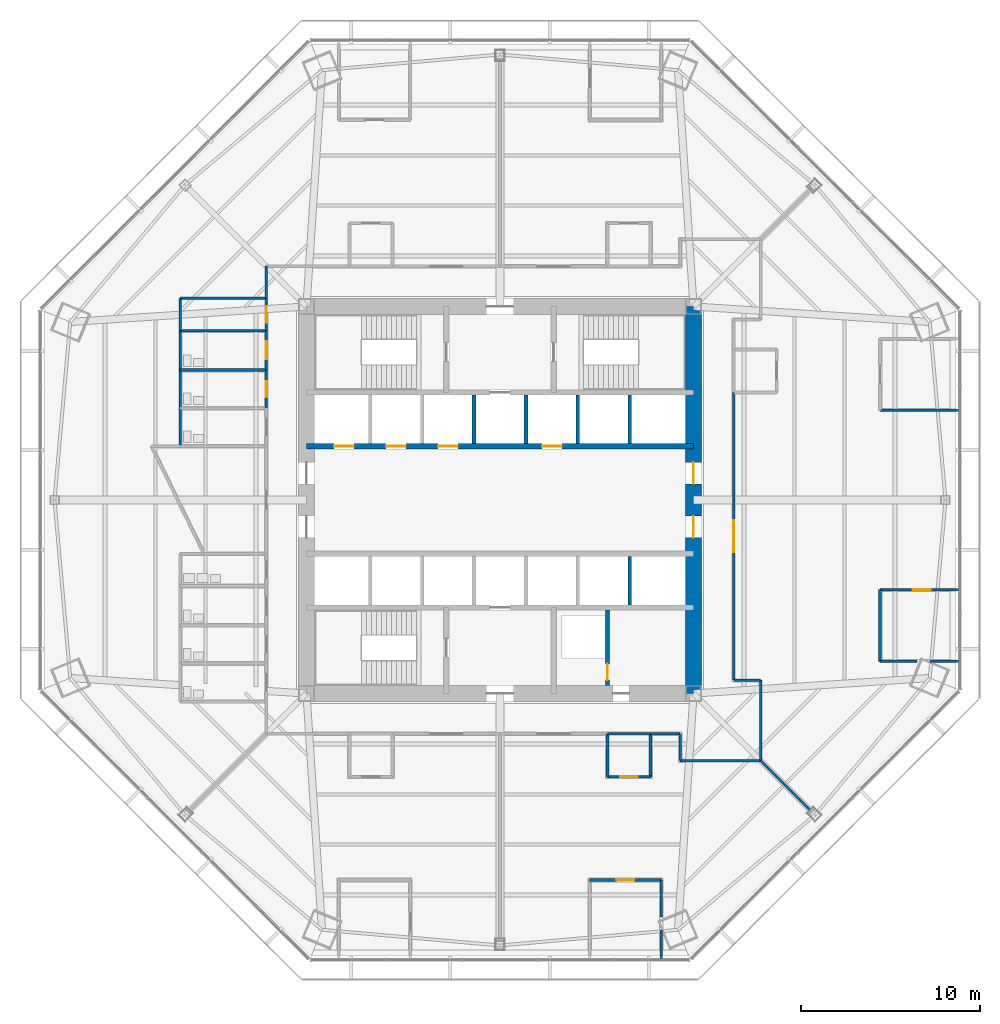
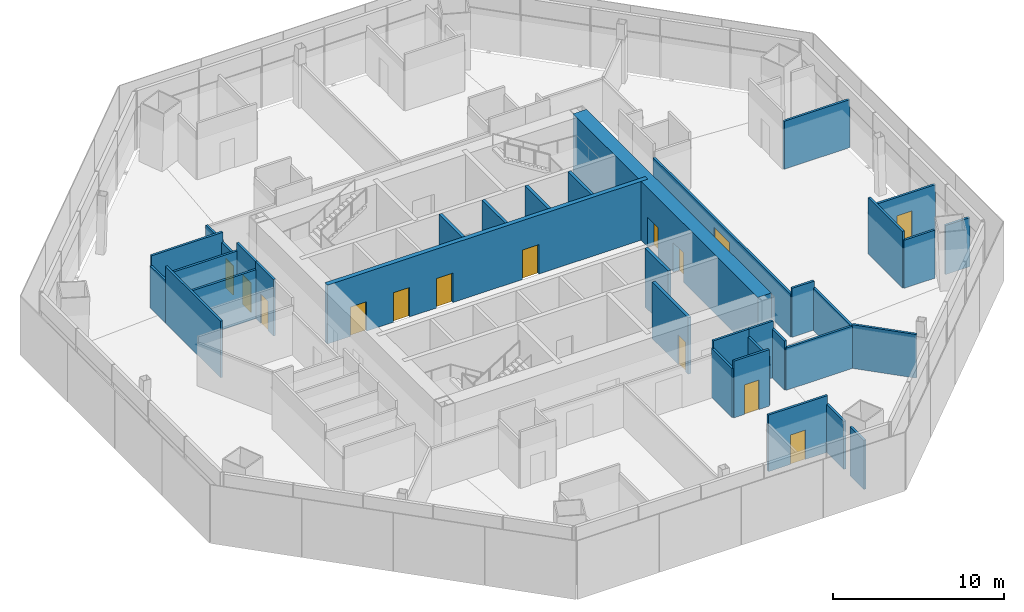
# One storey, part 12 of 18: 36 walls, 14 doors, 14 openings.
"""IFC4 building model written with IfcOpenShell, lengths in metres."""

from ifc_helpers import new_model, si_unit, direction, frame, frame_2d, origin, place, context, subcontext, project, spatial, rectangle, extrude, material, layer, layer_set, type_object, element, fill, save


model = new_model("IFC4")

# Units and contexts
model_context = context("Model", 3, precision=1e-05, world=origin(), true_north=direction((0.0, 1.0)))
body_context = subcontext(model_context, "Body", "Model", "MODEL_VIEW")
ifc_project = project(units=[si_unit("LENGTHUNIT", "METRE"), si_unit("AREAUNIT", "SQUARE_METRE"), si_unit("VOLUMEUNIT", "CUBIC_METRE"), si_unit("PLANEANGLEUNIT", "RADIAN"), si_unit("MASSUNIT", "GRAM", prefix="KILO")], contexts=[model_context])

# Site, building, storey
site_placement = place(None, origin())
site = spatial("IfcSite", under=ifc_project, at=site_placement, CompositionType="ELEMENT")
building_placement = place(site_placement, origin())
building = spatial("IfcBuilding", under=site, at=building_placement, Name="Mashrafa Tower", CompositionType="ELEMENT")
storey_placement = place(building_placement, frame((0.0, 0.0, 83.39990234375)))
storey = spatial("IfcBuildingStorey", under=building, at=storey_placement, Name="L18", CompositionType="ELEMENT", Elevation=83.39990234375)

# Wall, opening, door
ifc_material_1 = material(Name="Concrete masonry unit", Category="masonry")
ifc_layer_1 = layer(ifc_material_1, 0.199951171875)
ifc_layer_set_1 = layer_set([ifc_layer_1], Name="Blockwork wall 200 2 hr")
wall_type_1 = type_object("IfcWallType", Name="Blockwork wall 200 2 hr", PredefinedType="PARTITIONING", material=ifc_layer_set_1)
wall_1_placement = place(storey_placement, frame((6.0, -10.35009765625, 0.0), z_axis=(0.0, 0.0, 1.0), x_axis=(0.0, 1.0, 0.0)))
wall_1 = element("IfcWall", 1, at=wall_1_placement, inside=storey, type_object=wall_type_1, Name="Riser enclosure wall L18", PredefinedType="PARTITIONING", context=body_context, shape_type="SweptSolid", body=[
    extrude(rectangle(XDim=4.2001953125, YDim=0.199951171875, at=frame_2d((2.10009765625, 0.0))), origin(), (0.0, 0.0, 1.0), 4.03515625),
])
opening_1_placement = place(wall_1_placement, frame((0.300048828125, 0.0, 0.0)))
opening_1 = element("IfcOpeningElement", 2, at=opening_1_placement, cuts=wall_1, Name="Opening 18.036", PredefinedType="OPENING", context=body_context, shape_type="SweptSolid", body=[
    extrude(rectangle(XDim=0.89990234375, YDim=2.10009765625, at=frame_2d((0.449951171875, 1.050048828125))), frame((0.0, 0.10986328125, 0.0), z_axis=(0.0, -1.0, 0.0), x_axis=(1.0, 0.0, 0.0)), (0.0, 0.0, 1.0), 0.219970703125),
])
ifc_material_2 = material(Name="Steel door", Category="steel")
door_type_1 = type_object("IfcDoorType", Name="Service door 900 x 2100 90 min", OperationType="USERDEFINED", PredefinedType="DOOR", material=ifc_material_2)
door_1_placement = place(opening_1_placement, origin())
door_1 = element("IfcDoor", 3, at=door_1_placement, inside=storey, type_object=door_type_1, Name="Riser door L18", OperationType="SINGLE_SWING_LEFT", OverallHeight=2.10009765625, OverallWidth=0.89990234375, PredefinedType="DOOR", context=body_context, shape_type="SweptSolid", body=[
    extrude(rectangle(XDim=0.89990234375, YDim=2.10009765625, at=frame_2d((0.449951171875, 1.050048828125))), frame((0.0, 0.02490234375, 0.0), z_axis=(0.0, -1.0, 0.0), x_axis=(1.0, 0.0, 0.0)), (0.0, 0.0, 1.0), 0.050048828125),
])
fill(opening_1, door_1)

# Wall, openings, doors
ifc_material_3 = material(Name="Concrete C60/75", Category="concrete")
ifc_layer_2 = layer(ifc_material_3, 0.300048828125)
ifc_layer_set_2 = layer_set([ifc_layer_2], Name="Core wall 300 C60/75")
wall_type_2 = type_object("IfcWallType", Name="Core wall 300 C60/75", PredefinedType="SOLIDWALL", material=ifc_layer_set_2)
wall_2_placement = place(storey_placement, frame((-10.800048828125, 3.0, 0.0), z_axis=(0.0, 0.0, 1.0), x_axis=(1.0, 0.0, 0.0)))
wall_2 = element("IfcWall", 4, at=wall_2_placement, inside=storey, type_object=wall_type_2, Name="Core wall CH-N L18", PredefinedType="SOLIDWALL", context=body_context, shape_type="SweptSolid", body=[
    extrude(rectangle(XDim=21.60009765625, YDim=0.300048828125, at=frame_2d((10.800048828125, 0.0))), origin(), (0.0, 0.0, 1.0), 4.2001953125),
])
opening_2_placement = place(wall_2_placement, frame((1.550048828125, 0.0, 0.0)))
opening_2 = element("IfcOpeningElement", 5, at=opening_2_placement, cuts=wall_2, Name="Opening 18.A1", PredefinedType="OPENING", context=body_context, shape_type="SweptSolid", body=[
    extrude(rectangle(XDim=1.10009765625, YDim=2.10009765625, at=frame_2d((0.550048828125, 1.050048828125))), frame((0.0, 0.159912109375, 0.0), z_axis=(0.0, -1.0, 0.0), x_axis=(1.0, 0.0, 0.0)), (0.0, 0.0, 1.0), 0.320068359375),
])
opening_3_placement = place(wall_2_placement, frame((4.449951171875, 0.0, 0.0)))
opening_3 = element("IfcOpeningElement", 6, at=opening_3_placement, cuts=wall_2, Name="Opening 18.A2", PredefinedType="OPENING", context=body_context, shape_type="SweptSolid", body=[
    extrude(rectangle(XDim=1.10009765625, YDim=2.10009765625, at=frame_2d((0.550048828125, 1.050048828125))), frame((0.0, 0.159912109375, 0.0), z_axis=(0.0, -1.0, 0.0), x_axis=(1.0, 0.0, 0.0)), (0.0, 0.0, 1.0), 0.320068359375),
])
opening_4_placement = place(wall_2_placement, frame((7.35009765625, 0.0, 0.0)))
opening_4 = element("IfcOpeningElement", 7, at=opening_4_placement, cuts=wall_2, Name="Opening 18.A3", PredefinedType="OPENING", context=body_context, shape_type="SweptSolid", body=[
    extrude(rectangle(XDim=1.10009765625, YDim=2.10009765625, at=frame_2d((0.550048828125, 1.050048828125))), frame((0.0, 0.159912109375, 0.0), z_axis=(0.0, -1.0, 0.0), x_axis=(1.0, 0.0, 0.0)), (0.0, 0.0, 1.0), 0.320068359375),
])
opening_5_placement = place(wall_2_placement, frame((13.14990234375, 0.0, 0.0)))
opening_5 = element("IfcOpeningElement", 8, at=opening_5_placement, cuts=wall_2, Name="Opening 18.A4", PredefinedType="OPENING", context=body_context, shape_type="SweptSolid", body=[
    extrude(rectangle(XDim=1.10009765625, YDim=2.10009765625, at=frame_2d((0.550048828125, 1.050048828125))), frame((0.0, 0.159912109375, 0.0), z_axis=(0.0, -1.0, 0.0), x_axis=(1.0, 0.0, 0.0)), (0.0, 0.0, 1.0), 0.320068359375),
])
ifc_material_4 = material(Name="Steel door", Category="steel")
door_type_2 = type_object("IfcDoorType", Name="Lift landing door 1100 x 2100 90 min", OperationType="DOUBLE_DOOR_SLIDING", PredefinedType="DOOR", material=ifc_material_4)
door_2_placement = place(opening_2_placement, origin())
door_2 = element("IfcDoor", 9, at=door_2_placement, inside=storey, type_object=door_type_2, Name="Lift landing door A1 L18", OperationType="DOUBLE_DOOR_SLIDING", OverallHeight=2.10009765625, OverallWidth=1.10009765625, PredefinedType="DOOR", context=body_context, shape_type="SweptSolid", body=[
    extrude(rectangle(XDim=1.10009765625, YDim=2.10009765625, at=frame_2d((0.550048828125, 1.050048828125))), frame((0.0, 0.02490234375, 0.0), z_axis=(0.0, -1.0, 0.0), x_axis=(1.0, 0.0, 0.0)), (0.0, 0.0, 1.0), 0.050048828125),
])
fill(opening_2, door_2)
door_3_placement = place(opening_3_placement, origin())
door_3 = element("IfcDoor", 10, at=door_3_placement, inside=storey, type_object=door_type_2, Name="Lift landing door A2 L18", OperationType="DOUBLE_DOOR_SLIDING", OverallHeight=2.10009765625, OverallWidth=1.10009765625, PredefinedType="DOOR", context=body_context, shape_type="SweptSolid", body=[
    extrude(rectangle(XDim=1.10009765625, YDim=2.10009765625, at=frame_2d((0.550048828125, 1.050048828125))), frame((0.0, 0.02490234375, 0.0), z_axis=(0.0, -1.0, 0.0), x_axis=(1.0, 0.0, 0.0)), (0.0, 0.0, 1.0), 0.050048828125),
])
fill(opening_3, door_3)
door_4_placement = place(opening_4_placement, origin())
door_4 = element("IfcDoor", 11, at=door_4_placement, inside=storey, type_object=door_type_2, Name="Lift landing door A3 L18", OperationType="DOUBLE_DOOR_SLIDING", OverallHeight=2.10009765625, OverallWidth=1.10009765625, PredefinedType="DOOR", context=body_context, shape_type="SweptSolid", body=[
    extrude(rectangle(XDim=1.10009765625, YDim=2.10009765625, at=frame_2d((0.550048828125, 1.050048828125))), frame((0.0, 0.02490234375, 0.0), z_axis=(0.0, -1.0, 0.0), x_axis=(1.0, 0.0, 0.0)), (0.0, 0.0, 1.0), 0.050048828125),
])
fill(opening_4, door_4)
door_5_placement = place(opening_5_placement, origin())
door_5 = element("IfcDoor", 12, at=door_5_placement, inside=storey, type_object=door_type_2, Name="Lift landing door A4 L18", OperationType="DOUBLE_DOOR_SLIDING", OverallHeight=2.10009765625, OverallWidth=1.10009765625, PredefinedType="DOOR", context=body_context, shape_type="SweptSolid", body=[
    extrude(rectangle(XDim=1.10009765625, YDim=2.10009765625, at=frame_2d((0.550048828125, 1.050048828125))), frame((0.0, 0.02490234375, 0.0), z_axis=(0.0, -1.0, 0.0), x_axis=(1.0, 0.0, 0.0)), (0.0, 0.0, 1.0), 0.050048828125),
])
fill(opening_5, door_5)

ifc_material_5 = material(Name="Concrete C60/75", Category="concrete")
ifc_layer_3 = layer(ifc_material_5, 0.89990234375)
ifc_layer_set_3 = layer_set([ifc_layer_3], Name="Core wall 900 C60/75")
wall_type_3 = type_object("IfcWallType", Name="Core wall 900 C60/75", PredefinedType="SOLIDWALL", material=ifc_layer_set_3)
wall_3_placement = place(storey_placement, frame((10.800048828125, -10.800048828125, 0.0), z_axis=(0.0, 0.0, 1.0), x_axis=(0.0, 1.0, 0.0)))
wall_3 = element("IfcWall", 13, at=wall_3_placement, inside=storey, type_object=wall_type_3, Name="Core wall CW-E L18", PredefinedType="SOLIDWALL", context=body_context, shape_type="SweptSolid", body=[
    extrude(rectangle(XDim=21.60009765625, YDim=0.89990234375, at=frame_2d((10.800048828125, 0.0))), origin(), (0.0, 0.0, 1.0), 4.2001953125),
])
opening_6_placement = place(wall_3_placement, frame((11.699951171875, 0.0, 0.0)))
opening_6 = element("IfcOpeningElement", 14, at=opening_6_placement, cuts=wall_3, Name="Opening 18.026", PredefinedType="OPENING", context=body_context, shape_type="SweptSolid", body=[
    extrude(rectangle(XDim=1.199951171875, YDim=2.10009765625, at=frame_2d((0.60009765625, 1.050048828125))), frame((0.0, 0.4599609375, 0.0), z_axis=(0.0, -1.0, 0.0), x_axis=(1.0, 0.0, 0.0)), (0.0, 0.0, 1.0), 0.919921875),
])
opening_7_placement = place(wall_3_placement, frame((8.699951171875, 0.0, 0.0)))
opening_7 = element("IfcOpeningElement", 15, at=opening_7_placement, cuts=wall_3, Name="Opening 18.028", PredefinedType="OPENING", context=body_context, shape_type="SweptSolid", body=[
    extrude(rectangle(XDim=1.199951171875, YDim=2.10009765625, at=frame_2d((0.60009765625, 1.050048828125))), frame((0.0, 0.4599609375, 0.0), z_axis=(0.0, -1.0, 0.0), x_axis=(1.0, 0.0, 0.0)), (0.0, 0.0, 1.0), 0.919921875),
])
ifc_material_6 = material(Name="Steel door", Category="steel")
door_type_3 = type_object("IfcDoorType", Name="Lift hall door 1200 x 2100 90 min", OperationType="USERDEFINED", PredefinedType="DOOR", material=ifc_material_6)
door_6_placement = place(opening_6_placement, frame((1.199951171875, 0.0, 0.0), z_axis=(0.0, 0.0, 1.0), x_axis=(-1.0, 0.0, 0.0)))
door_6 = element("IfcDoor", 16, at=door_6_placement, inside=storey, type_object=door_type_3, Name="Lift hall door east L18", OperationType="SINGLE_SWING_LEFT", OverallHeight=2.10009765625, OverallWidth=1.199951171875, PredefinedType="DOOR", context=body_context, shape_type="SweptSolid", body=[
    extrude(rectangle(XDim=1.199951171875, YDim=2.10009765625, at=frame_2d((0.60009765625, 1.050048828125))), frame((0.0, 0.02490234375, 0.0), z_axis=(0.0, -1.0, 0.0), x_axis=(1.0, 0.0, 0.0)), (0.0, 0.0, 1.0), 0.050048828125),
])
fill(opening_6, door_6)
door_7_placement = place(opening_7_placement, frame((1.199951171875, 0.0, 0.0), z_axis=(0.0, 0.0, 1.0), x_axis=(-1.0, 0.0, 0.0)))
door_7 = element("IfcDoor", 17, at=door_7_placement, inside=storey, type_object=door_type_3, Name="Lift hall door east L18", OperationType="SINGLE_SWING_RIGHT", OverallHeight=2.10009765625, OverallWidth=1.199951171875, PredefinedType="DOOR", context=body_context, shape_type="SweptSolid", body=[
    extrude(rectangle(XDim=1.199951171875, YDim=2.10009765625, at=frame_2d((0.60009765625, 1.050048828125))), frame((0.0, 0.02490234375, 0.0), z_axis=(0.0, -1.0, 0.0), x_axis=(1.0, 0.0, 0.0)), (0.0, 0.0, 1.0), 0.050048828125),
])
fill(opening_7, door_7)

# Wall, opening, door
ifc_material_7 = material(Name="Gypsum board on steel studs", Category="steel")
ifc_layer_4 = layer(ifc_material_7, 0.14990234375)
ifc_layer_set_4 = layer_set([ifc_layer_4], Name="Corridor partition 150 1 hr")
wall_type_4 = type_object("IfcWallType", Name="Corridor partition 150 1 hr", PredefinedType="PARTITIONING", material=ifc_layer_set_4)
wall_4_placement = place(storey_placement, frame((-13.050048828125, 7.2509765625, 0.0), z_axis=(0.0, 0.0, 1.0), x_axis=(0.0, -1.0, 0.0)))
wall_4 = element("IfcWall", 18, at=wall_4_placement, inside=storey, type_object=wall_type_4, Name="Corridor wall L18-002", PredefinedType="PARTITIONING", context=body_context, shape_type="SweptSolid", body=[
    extrude(rectangle(XDim=2.126953125, YDim=0.14990234375, at=frame_2d((1.0634765625, 0.0))), origin(), (0.0, 0.0, 1.0), 4.03515625),
])
opening_8_placement = place(wall_4_placement, frame((0.613525390625, 0.0, 0.0)))
opening_8 = element("IfcOpeningElement", 19, at=opening_8_placement, cuts=wall_4, Name="Opening 18.002", PredefinedType="OPENING", context=body_context, shape_type="SweptSolid", body=[
    extrude(rectangle(XDim=0.89990234375, YDim=2.10009765625, at=frame_2d((0.449951171875, 1.050048828125))), frame((0.0, 0.0849609375, 0.0), z_axis=(0.0, -1.0, 0.0), x_axis=(1.0, 0.0, 0.0)), (0.0, 0.0, 1.0), 0.169921875),
])
ifc_material_8 = material(Name="Timber door", Category="wood")
door_type_4 = type_object("IfcDoorType", Name="Toilet door 900 x 2100", OperationType="USERDEFINED", PredefinedType="DOOR", material=ifc_material_8)
door_8_placement = place(opening_8_placement, frame((0.89990234375, 0.0, 0.0), z_axis=(0.0, 0.0, 1.0), x_axis=(-1.0, 0.0, 0.0)))
door_8 = element("IfcDoor", 20, at=door_8_placement, inside=storey, type_object=door_type_4, Name="WC Male L18 N door", OperationType="SINGLE_SWING_LEFT", OverallHeight=2.10009765625, OverallWidth=0.89990234375, PredefinedType="DOOR", context=body_context, shape_type="SweptSolid", body=[
    extrude(rectangle(XDim=0.89990234375, YDim=2.10009765625, at=frame_2d((0.449951171875, 1.050048828125))), frame((0.0, 0.02490234375, 0.0), z_axis=(0.0, -1.0, 0.0), x_axis=(1.0, 0.0, 0.0)), (0.0, 0.0, 1.0), 0.050048828125),
])
fill(opening_8, door_8)

wall_5_placement = place(storey_placement, frame((-13.050048828125, 9.450927734375, 0.0), z_axis=(0.0, 0.0, 1.0), x_axis=(0.0, -1.0, 0.0)))
wall_5 = element("IfcWall", 21, at=wall_5_placement, inside=storey, type_object=wall_type_4, Name="Corridor wall L18-003", PredefinedType="PARTITIONING", context=body_context, shape_type="SweptSolid", body=[
    extrude(rectangle(XDim=2.201904296875, YDim=0.14990234375, at=frame_2d((1.10107421875, 0.0))), origin(), (0.0, 0.0, 1.0), 4.03515625),
])
opening_9_placement = place(wall_5_placement, frame((0.60107421875, 0.0, 0.0)))
opening_9 = element("IfcOpeningElement", 22, at=opening_9_placement, cuts=wall_5, Name="Opening 18.003", PredefinedType="OPENING", context=body_context, shape_type="SweptSolid", body=[
    extrude(rectangle(XDim=1.0, YDim=2.10009765625, at=frame_2d((0.5, 1.050048828125))), frame((0.0, 0.0849609375, 0.0), z_axis=(0.0, -1.0, 0.0), x_axis=(1.0, 0.0, 0.0)), (0.0, 0.0, 1.0), 0.169921875),
])
ifc_material_9 = material(Name="Timber door", Category="wood")
door_type_5 = type_object("IfcDoorType", Name="Accessible toilet door 1000 x 2100", OperationType="USERDEFINED", PredefinedType="DOOR", material=ifc_material_9)
door_9_placement = place(opening_9_placement, frame((1.0, 0.0, 0.0), z_axis=(0.0, 0.0, 1.0), x_axis=(-1.0, 0.0, 0.0)))
door_9 = element("IfcDoor", 23, at=door_9_placement, inside=storey, type_object=door_type_5, Name="Accessible WC L18 N door", OperationType="SINGLE_SWING_RIGHT", OverallHeight=2.10009765625, OverallWidth=1.0, PredefinedType="DOOR", context=body_context, shape_type="SweptSolid", body=[
    extrude(rectangle(XDim=1.0, YDim=2.10009765625, at=frame_2d((0.5, 1.050048828125))), frame((0.0, 0.02490234375, 0.0), z_axis=(0.0, -1.0, 0.0), x_axis=(1.0, 0.0, 0.0)), (0.0, 0.0, 1.0), 0.050048828125),
])
fill(opening_9, door_9)

wall_6_placement = place(storey_placement, frame((-13.050048828125, 11.2509765625, 0.0), z_axis=(0.0, 0.0, 1.0), x_axis=(0.0, -1.0, 0.0)))
wall_6 = element("IfcWall", 24, at=wall_6_placement, inside=storey, type_object=wall_type_4, Name="Corridor wall L18-004", PredefinedType="PARTITIONING", context=body_context, shape_type="SweptSolid", body=[
    extrude(rectangle(XDim=1.802001953125, YDim=0.14990234375, at=frame_2d((0.90087890625, 0.0))), origin(), (0.0, 0.0, 1.0), 3.01416015625),
])
opening_10_placement = place(wall_6_placement, frame((0.450927734375, 0.0, 0.0)))
opening_10 = element("IfcOpeningElement", 25, at=opening_10_placement, cuts=wall_6, Name="Opening 18.004", PredefinedType="OPENING", context=body_context, shape_type="SweptSolid", body=[
    extrude(rectangle(XDim=0.89990234375, YDim=2.10009765625, at=frame_2d((0.449951171875, 1.050048828125))), frame((0.0, 0.0849609375, 0.0), z_axis=(0.0, -1.0, 0.0), x_axis=(1.0, 0.0, 0.0)), (0.0, 0.0, 1.0), 0.169921875),
])
ifc_material_10 = material(Name="Timber door", Category="wood")
door_type_6 = type_object("IfcDoorType", Name="Store door 900 x 2100", OperationType="USERDEFINED", PredefinedType="DOOR", material=ifc_material_10)
door_10_placement = place(opening_10_placement, frame((0.89990234375, 0.0, 0.0), z_axis=(0.0, 0.0, 1.0), x_axis=(-1.0, 0.0, 0.0)))
door_10 = element("IfcDoor", 26, at=door_10_placement, inside=storey, type_object=door_type_6, Name="Cleaner's Store L18 N door", OperationType="SINGLE_SWING_LEFT", OverallHeight=2.10009765625, OverallWidth=0.89990234375, PredefinedType="DOOR", context=body_context, shape_type="SweptSolid", body=[
    extrude(rectangle(XDim=0.89990234375, YDim=2.10009765625, at=frame_2d((0.449951171875, 1.050048828125))), frame((0.0, 0.02490234375, 0.0), z_axis=(0.0, -1.0, 0.0), x_axis=(1.0, 0.0, 0.0)), (0.0, 0.0, 1.0), 0.050048828125),
])
fill(opening_10, door_10)

# Walls
wall_7_placement = place(storey_placement, frame((5.9990234375, -13.050048828125, 0.0), z_axis=(0.0, 0.0, 1.0), x_axis=(1.0, 0.0, 0.0)))
element("IfcWall", 27, at=wall_7_placement, inside=storey, type_object=wall_type_4, Name="Corridor wall L18-013", PredefinedType="PARTITIONING", context=body_context, shape_type="SweptSolid", body=[
    extrude(rectangle(XDim=2.40185546875, YDim=0.14990234375, at=frame_2d((1.200927734375, 0.0))), origin(), (0.0, 0.0, 1.0), 4.03515625),
])
wall_8_placement = place(storey_placement, frame((-13.050048828125, 13.050048828125, 0.0), z_axis=(0.0, 0.0, 1.0), x_axis=(0.0, -1.0, 0.0)))
element("IfcWall", 28, at=wall_8_placement, inside=storey, type_object=wall_type_4, Name="Corridor wall L18-021", PredefinedType="PARTITIONING", context=body_context, shape_type="SweptSolid", body=[
    extrude(rectangle(XDim=1.801025390625, YDim=0.14990234375, at=frame_2d((0.900390625, 0.0))), origin(), (0.0, 0.0, 1.0), 3.11328125),
])
wall_9_placement = place(storey_placement, frame((14.550048828125, -14.550048828125, 0.0), z_axis=(0.0, 0.0, 1.0), x_axis=(0.0, 1.0, 0.0)))
element("IfcWall", 29, at=wall_9_placement, inside=storey, type_object=wall_type_4, Name="Corridor wall L18-023", PredefinedType="PARTITIONING", context=body_context, shape_type="SweptSolid", body=[
    extrude(rectangle(XDim=4.5, YDim=0.14990234375, at=frame_2d((2.25, 0.0))), origin(), (0.0, 0.0, 1.0), 3.01416015625),
])
wall_10_placement = place(storey_placement, frame((14.550048828125, -10.050048828125, 0.0), z_axis=(0.0, 0.0, 1.0), x_axis=(-1.0, 0.0, 0.0)))
element("IfcWall", 30, at=wall_10_placement, inside=storey, type_object=wall_type_4, Name="Corridor wall L18-024", PredefinedType="PARTITIONING", context=body_context, shape_type="SweptSolid", body=[
    extrude(rectangle(XDim=1.5, YDim=0.14990234375, at=frame_2d((0.75, 0.0))), origin(), (0.0, 0.0, 1.0), 3.49169921875),
])

# Wall, opening, door
wall_11_placement = place(storey_placement, frame((13.050048828125, -10.050048828125, 0.0), z_axis=(0.0, 0.0, 1.0), x_axis=(0.0, 1.0, 0.0)))
wall_11 = element("IfcWall", 31, at=wall_11_placement, inside=storey, type_object=wall_type_4, Name="Corridor wall L18-025", PredefinedType="PARTITIONING", context=body_context, shape_type="SweptSolid", body=[
    extrude(rectangle(XDim=16.051025390625, YDim=0.14990234375, at=frame_2d((8.025390625, 0.0))), origin(), (0.0, 0.0, 1.0), 3.06494140625),
])
opening_11_placement = place(wall_11_placement, frame((7.12548828125, 0.0, 0.0)))
opening_11 = element("IfcOpeningElement", 32, at=opening_11_placement, cuts=wall_11, Name="Opening 18.023", PredefinedType="OPENING", context=body_context, shape_type="SweptSolid", body=[
    extrude(rectangle(XDim=1.800048828125, YDim=2.39990234375, at=frame_2d((0.89990234375, 1.199951171875))), frame((0.0, 0.0849609375, 0.0), z_axis=(0.0, -1.0, 0.0), x_axis=(1.0, 0.0, 0.0)), (0.0, 0.0, 1.0), 0.169921875),
])
ifc_material_11 = material(Name="Timber door", Category="wood")
door_type_7 = type_object("IfcDoorType", Name="Door pair 1800 x 2400", OperationType="DOUBLE_DOOR_SINGLE_SWING", PredefinedType="DOOR", material=ifc_material_11)
door_11_placement = place(opening_11_placement, frame((1.800048828125, 0.0, 0.0), z_axis=(0.0, 0.0, 1.0), x_axis=(-1.0, 0.0, 0.0)))
door_11 = element("IfcDoor", 33, at=door_11_placement, inside=storey, type_object=door_type_7, Name="Office Suite 18-E door", OperationType="DOUBLE_DOOR_SINGLE_SWING", OverallHeight=2.39990234375, OverallWidth=1.800048828125, PredefinedType="DOOR", context=body_context, shape_type="SweptSolid", body=[
    extrude(rectangle(XDim=1.800048828125, YDim=2.39990234375, at=frame_2d((0.89990234375, 1.199951171875))), frame((0.0, 0.02490234375, 0.0), z_axis=(0.0, -1.0, 0.0), x_axis=(1.0, 0.0, 0.0)), (0.0, 0.0, 1.0), 0.050048828125),
])
fill(opening_11, door_11)

# Walls
wall_12_placement = place(storey_placement, frame((8.39892578125, -13.050048828125, 0.0), z_axis=(0.0, 0.0, 1.0), x_axis=(1.0, 0.0, 0.0)))
element("IfcWall", 34, at=wall_12_placement, inside=storey, type_object=wall_type_4, Name="Corridor wall L18-030", PredefinedType="PARTITIONING", context=body_context, shape_type="SweptSolid", body=[
    extrude(rectangle(XDim=1.651123046875, YDim=0.14990234375, at=frame_2d((0.82568359375, 0.0))), origin(), (0.0, 0.0, 1.0), 4.03515625),
])
wall_13_placement = place(storey_placement, frame((10.050048828125, -13.050048828125, 0.0), z_axis=(0.0, 0.0, 1.0), x_axis=(0.0, -1.0, 0.0)))
element("IfcWall", 35, at=wall_13_placement, inside=storey, type_object=wall_type_4, Name="Corridor wall L18-031", PredefinedType="PARTITIONING", context=body_context, shape_type="SweptSolid", body=[
    extrude(rectangle(XDim=1.5, YDim=0.14990234375, at=frame_2d((0.75, 0.0))), origin(), (0.0, 0.0, 1.0), 3.49169921875),
])
wall_14_placement = place(storey_placement, frame((10.050048828125, -14.550048828125, 0.0), z_axis=(0.0, 0.0, 1.0), x_axis=(1.0, 0.0, 0.0)))
element("IfcWall", 36, at=wall_14_placement, inside=storey, type_object=wall_type_4, Name="Corridor wall L18-032", PredefinedType="PARTITIONING", context=body_context, shape_type="SweptSolid", body=[
    extrude(rectangle(XDim=4.5, YDim=0.14990234375, at=frame_2d((2.25, 0.0))), origin(), (0.0, 0.0, 1.0), 3.01416015625),
])
ifc_material_12 = material(Name="Gypsum board on steel studs", Category="steel")
ifc_layer_5 = layer(ifc_material_12, 0.14990234375)
ifc_layer_set_5 = layer_set([ifc_layer_5], Name="Partition 150")
wall_type_5 = type_object("IfcWallType", Name="Partition 150", PredefinedType="PARTITIONING", material=ifc_layer_set_5)
wall_15_placement = place(storey_placement, frame((-17.85009765625, 3.0, 0.0), z_axis=(0.0, 0.0, 1.0), x_axis=(0.0, 1.0, 0.0)))
element("IfcWall", 37, at=wall_15_placement, inside=storey, type_object=wall_type_5, Name="Partition wall L18-037", PredefinedType="PARTITIONING", context=body_context, shape_type="SweptSolid", body=[
    extrude(rectangle(XDim=6.449951171875, YDim=0.14990234375, at=frame_2d((3.22509765625, 0.0))), origin(), (0.0, 0.0, 1.0), 4.03515625),
])
for number, where, z_axis, x_axis, name in (
    (38, (-13.050048828125, 7.25, 0.0), (0.0, 0.0, 1.0), (-1.0, 0.0, 0.0), "Partition wall L18-038"),
    (39, (-13.050048828125, 9.449951171875, 0.0), (0.0, 0.0, 1.0), (-1.0, 0.0, 0.0), "Partition wall L18-040"),
):
    element("IfcWall", number, at=place(storey_placement, frame(where, z_axis=z_axis, x_axis=x_axis)), inside=storey, type_object=wall_type_5, Name=name, PredefinedType="PARTITIONING", context=body_context, shape_type="SweptSolid", body=[
        extrude(rectangle(XDim=4.800048828125, YDim=0.14990234375, at=frame_2d((2.39990234375, 0.0))), origin(), (0.0, 0.0, 1.0), 3.49169921875),
    ])
wall_16_placement = place(storey_placement, frame((-13.050048828125, 11.25, 0.0), z_axis=(0.0, 0.0, 1.0), x_axis=(-1.0, 0.0, 0.0)))
element("IfcWall", 40, at=wall_16_placement, inside=storey, type_object=wall_type_5, Name="Partition wall L18-042", PredefinedType="PARTITIONING", context=body_context, shape_type="SweptSolid", body=[
    extrude(rectangle(XDim=4.800048828125, YDim=0.14990234375, at=frame_2d((2.39990234375, 0.0))), origin(), (0.0, 0.0, 1.0), 3.715087890625),
])
wall_17_placement = place(storey_placement, frame((-17.85009765625, 11.25, 0.0), z_axis=(0.0, 0.0, 1.0), x_axis=(0.0, -1.0, 0.0)))
element("IfcWall", 41, at=wall_17_placement, inside=storey, type_object=wall_type_5, Name="Partition wall L18-043", PredefinedType="PARTITIONING", context=body_context, shape_type="SweptSolid", body=[
    extrude(rectangle(XDim=1.800048828125, YDim=0.14990234375, at=frame_2d((0.89990234375, 0.0))), origin(), (0.0, 0.0, 1.0), 3.01416015625),
])

# Wall, opening, door
wall_18_placement = place(storey_placement, frame((25.639404296875, -5.0, 0.0), z_axis=(0.0, 0.0, 1.0), x_axis=(-1.0, 0.0, 0.0)))
wall_18 = element("IfcWall", 42, at=wall_18_placement, inside=storey, type_object=wall_type_5, Name="Partition wall L18-070", PredefinedType="PARTITIONING", context=body_context, shape_type="SweptSolid", body=[
    extrude(rectangle(XDim=4.43408203125, YDim=0.14990234375, at=frame_2d((2.217041015625, 0.0))), origin(), (0.0, 0.0, 1.0), 3.423095703125),
])
opening_12_placement = place(wall_18_placement, frame((1.59912109375, 0.0, 0.0)))
opening_12 = element("IfcOpeningElement", 43, at=opening_12_placement, cuts=wall_18, Name="Opening 18.014", PredefinedType="OPENING", context=body_context, shape_type="SweptSolid", body=[
    extrude(rectangle(XDim=1.0, YDim=2.10009765625, at=frame_2d((0.5, 1.050048828125))), frame((0.0, 0.0849609375, 0.0), z_axis=(0.0, -1.0, 0.0), x_axis=(1.0, 0.0, 0.0)), (0.0, 0.0, 1.0), 0.169921875),
])
ifc_material_13 = material(Name="Timber door", Category="wood")
door_type_8 = type_object("IfcDoorType", Name="Door 1000 x 2100", OperationType="USERDEFINED", PredefinedType="DOOR", material=ifc_material_13)
door_12_placement = place(opening_12_placement, origin())
door_12 = element("IfcDoor", 44, at=door_12_placement, inside=storey, type_object=door_type_8, Name="Manager's Office 18-E door", OperationType="SINGLE_SWING_LEFT", OverallHeight=2.10009765625, OverallWidth=1.0, PredefinedType="DOOR", context=body_context, shape_type="SweptSolid", body=[
    extrude(rectangle(XDim=1.0, YDim=2.10009765625, at=frame_2d((0.5, 1.050048828125))), frame((0.0, 0.02490234375, 0.0), z_axis=(0.0, -1.0, 0.0), x_axis=(1.0, 0.0, 0.0)), (0.0, 0.0, 1.0), 0.050048828125),
])
fill(opening_12, door_12)

# Walls
wall_19_placement = place(storey_placement, frame((21.205322265625, -5.0, 0.0), z_axis=(0.0, 0.0, 1.0), x_axis=(0.0, -1.0, 0.0)))
element("IfcWall", 45, at=wall_19_placement, inside=storey, type_object=wall_type_5, Name="Partition wall L18-071", PredefinedType="PARTITIONING", context=body_context, shape_type="SweptSolid", body=[
    extrude(rectangle(XDim=4.0, YDim=0.14990234375, at=frame_2d((2.0, 0.0))), origin(), (0.0, 0.0, 1.0), 4.03515625),
])
wall_20_placement = place(storey_placement, frame((21.205322265625, -9.0, 0.0), z_axis=(0.0, 0.0, 1.0), x_axis=(1.0, 0.0, 0.0)))
element("IfcWall", 46, at=wall_20_placement, inside=storey, type_object=wall_type_5, Name="Partition wall L18-072", PredefinedType="PARTITIONING", context=body_context, shape_type="SweptSolid", body=[
    extrude(rectangle(XDim=2.07763671875, YDim=0.14990234375, at=frame_2d((1.038818359375, 0.0))), origin(), (0.0, 0.0, 1.0), 3.423095703125),
])
for number, where, z_axis, x_axis, name in (
    (47, (23.998779296875, -9.0, 0.0), (0.0, 0.0, 1.0), (1.0, 0.0, 0.0), "Partition wall L18-073"),
    (48, (9.0, -25.637451171875, 0.0), (0.0, 0.0, 1.0), (0.0, 1.0, 0.0), "Partition wall L18-077"),
):
    element("IfcWall", number, at=place(storey_placement, frame(where, z_axis=z_axis, x_axis=x_axis)), inside=storey, type_object=wall_type_5, Name=name, PredefinedType="PARTITIONING", context=body_context, shape_type="SweptSolid", body=[
        extrude(rectangle(XDim=1.638671875, YDim=0.14990234375, at=frame_2d((0.8193359375, 0.0))), origin(), (0.0, 0.0, 1.0), 3.496826171875),
    ])
wall_21_placement = place(storey_placement, frame((9.0, -23.282958984375, 0.0), z_axis=(0.0, 0.0, 1.0), x_axis=(0.0, 1.0, 0.0)))
element("IfcWall", 49, at=wall_21_placement, inside=storey, type_object=wall_type_5, Name="Partition wall L18-078", PredefinedType="PARTITIONING", context=body_context, shape_type="SweptSolid", body=[
    extrude(rectangle(XDim=2.07763671875, YDim=0.14990234375, at=frame_2d((1.038818359375, 0.0))), origin(), (0.0, 0.0, 1.0), 3.423095703125),
])

# Wall, opening, door
wall_22_placement = place(storey_placement, frame((9.0, -21.205322265625, 0.0), z_axis=(0.0, 0.0, 1.0), x_axis=(-1.0, 0.0, 0.0)))
wall_22 = element("IfcWall", 50, at=wall_22_placement, inside=storey, type_object=wall_type_5, Name="Partition wall L18-079", PredefinedType="PARTITIONING", context=body_context, shape_type="SweptSolid", body=[
    extrude(rectangle(XDim=4.0, YDim=0.14990234375, at=frame_2d((2.0, 0.0))), origin(), (0.0, 0.0, 1.0), 4.03515625),
])
opening_13_placement = place(wall_22_placement, frame((1.5, 0.0, 0.0)))
opening_13 = element("IfcOpeningElement", 51, at=opening_13_placement, cuts=wall_22, Name="Opening 18.016", PredefinedType="OPENING", context=body_context, shape_type="SweptSolid", body=[
    extrude(rectangle(XDim=1.0, YDim=2.10009765625, at=frame_2d((0.5, 1.050048828125))), frame((0.0, 0.0849609375, 0.0), z_axis=(0.0, -1.0, 0.0), x_axis=(1.0, 0.0, 0.0)), (0.0, 0.0, 1.0), 0.169921875),
])
door_13_placement = place(opening_13_placement, origin())
door_13 = element("IfcDoor", 52, at=door_13_placement, inside=storey, type_object=door_type_8, Name="Manager's Office 18-SE door", OperationType="SINGLE_SWING_LEFT", OverallHeight=2.10009765625, OverallWidth=1.0, PredefinedType="DOOR", context=body_context, shape_type="SweptSolid", body=[
    extrude(rectangle(XDim=1.0, YDim=2.10009765625, at=frame_2d((0.5, 1.050048828125))), frame((0.0, 0.02490234375, 0.0), z_axis=(0.0, -1.0, 0.0), x_axis=(1.0, 0.0, 0.0)), (0.0, 0.0, 1.0), 0.050048828125),
])
fill(opening_13, door_13)

# Wall
wall_23_placement = place(storey_placement, frame((6.0, -13.050048828125, 0.0), z_axis=(0.0, 0.0, 1.0), x_axis=(0.0, -1.0, 0.0)))
element("IfcWall", 53, at=wall_23_placement, inside=storey, type_object=wall_type_5, Name="Partition wall L18-081", PredefinedType="PARTITIONING", context=body_context, shape_type="SweptSolid", body=[
    extrude(rectangle(XDim=2.39990234375, YDim=0.14990234375, at=frame_2d((1.199951171875, 0.0))), origin(), (0.0, 0.0, 1.0), 3.49169921875),
])

# Wall, opening, door
wall_24_placement = place(storey_placement, frame((6.0, -15.449951171875, 0.0), z_axis=(0.0, 0.0, 1.0), x_axis=(1.0, 0.0, 0.0)))
wall_24 = element("IfcWall", 54, at=wall_24_placement, inside=storey, type_object=wall_type_5, Name="Partition wall L18-082", PredefinedType="PARTITIONING", context=body_context, shape_type="SweptSolid", body=[
    extrude(rectangle(XDim=2.39990234375, YDim=0.14990234375, at=frame_2d((1.199951171875, 0.0))), origin(), (0.0, 0.0, 1.0), 4.03515625),
])
opening_14_placement = place(wall_24_placement, frame((0.699951171875, 0.0, 0.0)))
opening_14 = element("IfcOpeningElement", 55, at=opening_14_placement, cuts=wall_24, Name="Opening 18.017", PredefinedType="OPENING", context=body_context, shape_type="SweptSolid", body=[
    extrude(rectangle(XDim=1.0, YDim=2.10009765625, at=frame_2d((0.5, 1.050048828125))), frame((0.0, 0.0849609375, 0.0), z_axis=(0.0, -1.0, 0.0), x_axis=(1.0, 0.0, 0.0)), (0.0, 0.0, 1.0), 0.169921875),
])
door_14_placement = place(opening_14_placement, origin())
door_14 = element("IfcDoor", 56, at=door_14_placement, inside=storey, type_object=door_type_8, Name="Kitchenette 18-SE door", OperationType="SINGLE_SWING_LEFT", OverallHeight=2.10009765625, OverallWidth=1.0, PredefinedType="DOOR", context=body_context, shape_type="SweptSolid", body=[
    extrude(rectangle(XDim=1.0, YDim=2.10009765625, at=frame_2d((0.5, 1.050048828125))), frame((0.0, 0.02490234375, 0.0), z_axis=(0.0, -1.0, 0.0), x_axis=(1.0, 0.0, 0.0)), (0.0, 0.0, 1.0), 0.050048828125),
])
fill(opening_14, door_14)

# Walls
wall_25_placement = place(storey_placement, frame((8.39990234375, -15.449951171875, 0.0), z_axis=(0.0, 0.0, 1.0), x_axis=(0.0, 1.0, 0.0)))
element("IfcWall", 57, at=wall_25_placement, inside=storey, type_object=wall_type_5, Name="Partition wall L18-083", PredefinedType="PARTITIONING", context=body_context, shape_type="SweptSolid", body=[
    extrude(rectangle(XDim=2.39990234375, YDim=0.14990234375, at=frame_2d((1.199951171875, 0.0))), origin(), (0.0, 0.0, 1.0), 3.49169921875),
])
wall_26_placement = place(storey_placement, frame((21.205322265625, 5.0, 0.0), z_axis=(0.0, 0.0, 1.0), x_axis=(1.0, 0.0, 0.0)))
element("IfcWall", 58, at=wall_26_placement, inside=storey, type_object=wall_type_5, Name="Partition wall L18-094", PredefinedType="PARTITIONING", context=body_context, shape_type="SweptSolid", body=[
    extrude(rectangle(XDim=4.43212890625, YDim=0.14990234375, at=frame_2d((2.216064453125, 0.0))), origin(), (0.0, 0.0, 1.0), 3.423095703125),
])
wall_27_placement = place(storey_placement, frame((14.550048828125, -14.550048828125, 0.0), z_axis=(0.0, 0.0, 1.0), x_axis=(0.707106781187, -0.707106781187, 0.0)))
element("IfcWall", 59, at=wall_27_placement, inside=storey, type_object=wall_type_5, Name="Partition wall L18-098", PredefinedType="PARTITIONING", context=body_context, shape_type="SweptSolid", body=[
    extrude(rectangle(XDim=3.890869140625, YDim=0.14990234375, at=frame_2d((1.9453125, 0.0))), origin(), (0.0, 0.0, 1.0), 3.11328125),
])
ifc_material_14 = material(Name="Gypsum shaft wall on steel studs", Category="steel")
ifc_layer_6 = layer(ifc_material_14, 0.199951171875)
ifc_layer_set_6 = layer_set([ifc_layer_6], Name="Shaft divider wall 200 2 hr")
wall_type_6 = type_object("IfcWallType", Name="Shaft divider wall 200 2 hr", PredefinedType="PARTITIONING", material=ifc_layer_set_6)
for number, where, z_axis, x_axis, name in (
    (60, (-1.449951171875, 3.14990234375, 0.0), (0.0, 0.0, 1.0), (0.0, 1.0, 0.0), "Shaft divider wall N3 L18"),
    (61, (1.449951171875, 3.14990234375, 0.0), (0.0, 0.0, 1.0), (0.0, 1.0, 0.0), "Shaft divider wall N4 L18"),
    (62, (4.35009765625, 3.14990234375, 0.0), (0.0, 0.0, 1.0), (0.0, 1.0, 0.0), "Shaft divider wall N5 L18"),
    (63, (7.25, 3.14990234375, 0.0), (0.0, 0.0, 1.0), (0.0, 1.0, 0.0), "Shaft divider wall N6 L18"),
    (64, (7.25, -5.85009765625, 0.0), (0.0, 0.0, 1.0), (0.0, 1.0, 0.0), "Shaft divider wall S6 L18"),
):
    element("IfcWall", number, at=place(storey_placement, frame(where, z_axis=z_axis, x_axis=x_axis)), inside=storey, type_object=wall_type_6, Name=name, PredefinedType="PARTITIONING", context=body_context, shape_type="SweptSolid", body=[
        extrude(rectangle(XDim=2.7001953125, YDim=0.199951171875, at=frame_2d((1.35009765625, 0.0))), origin(), (0.0, 0.0, 1.0), 4.2001953125),
    ])

save(model, "model.ifc")
